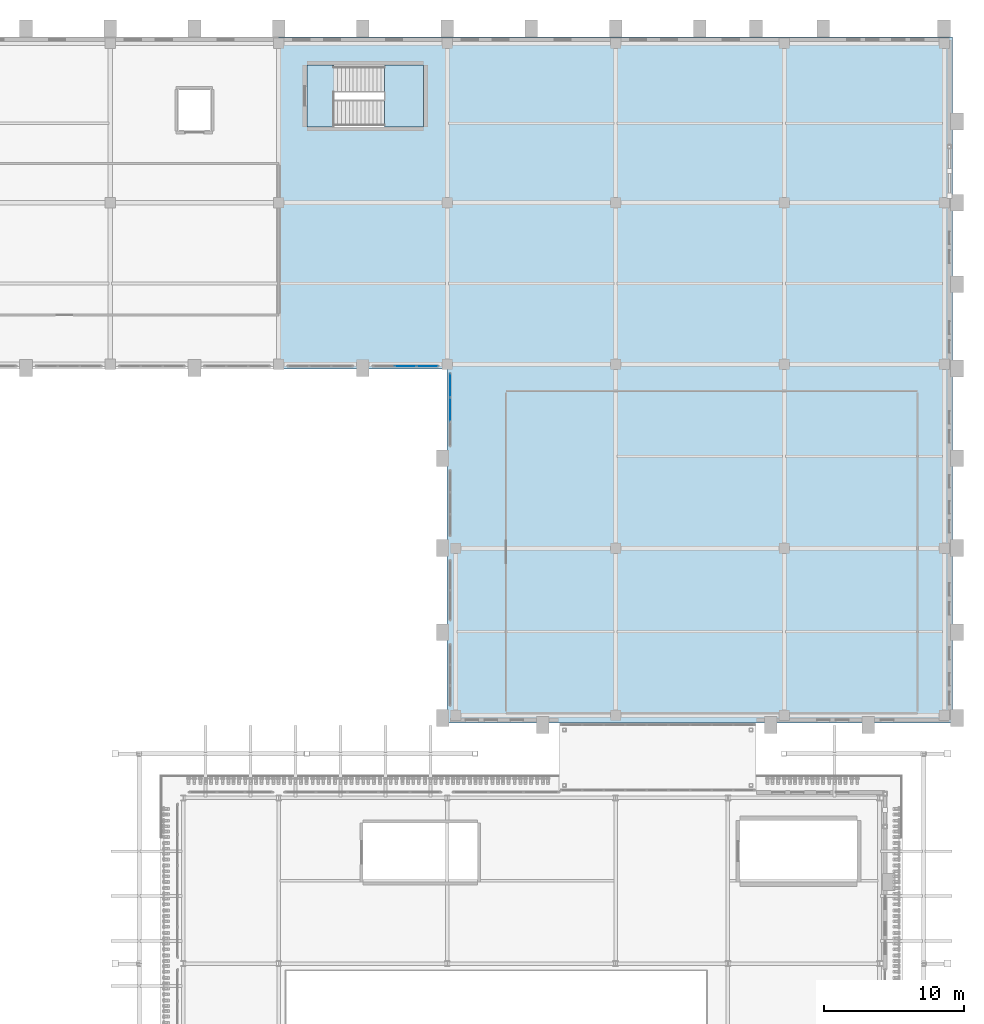
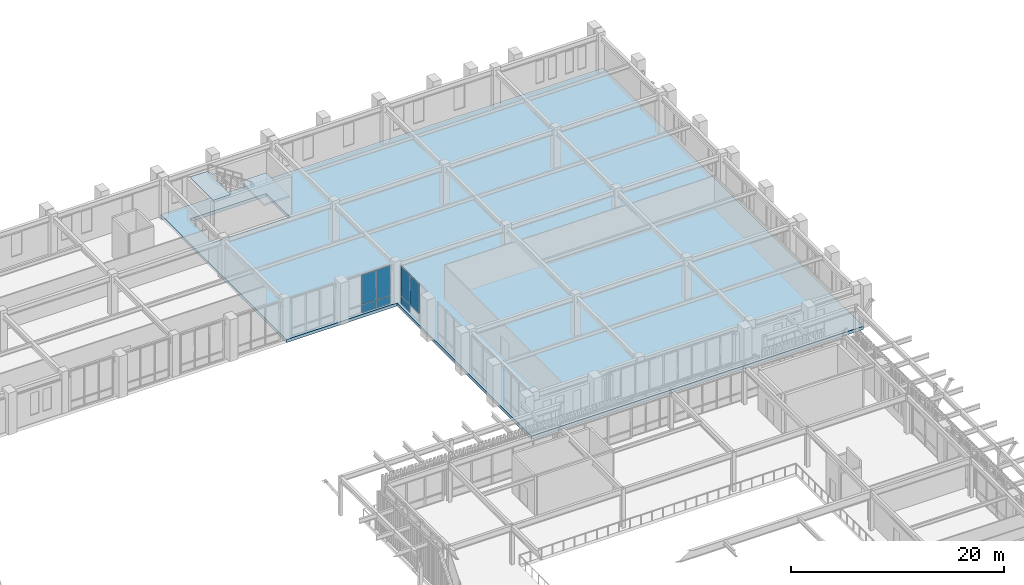
# One storey, part 79 of 126: 7 plates, 3 slabs, 3 elements without a shape of their own.
"""IFC4 building model written with IfcOpenShell, lengths in metres."""

from ifc_helpers import new_model, si_unit, derived_unit, direction, frame, origin, origin_2d, place, context, subcontext, project, spatial, polyline, rectangle, outline, extrude, material, layer, layer_set, type_object, element, aggregate, save


model = new_model("IFC4")

# Units and contexts
model_context = context("Model", 3, precision=1e-05, world=origin(), true_north=direction((0.0, 1.0)))
body_context = subcontext(model_context, "Body", "Model", "MODEL_VIEW")
ifc_project = project(units=[si_unit("LENGTHUNIT", "METRE"), si_unit("AREAUNIT", "SQUARE_METRE"), si_unit("VOLUMEUNIT", "CUBIC_METRE"), si_unit("PLANEANGLEUNIT", "RADIAN"), si_unit("MASSUNIT", "GRAM", prefix="KILO"), derived_unit("THERMALTRANSMITTANCEUNIT", [(si_unit("MASSUNIT", "GRAM", prefix="KILO"), 1), (si_unit("TIMEUNIT", "SECOND"), -3), (si_unit("THERMODYNAMICTEMPERATUREUNIT", "KELVIN"), -1)])], contexts=[model_context])

# Site, building, storey
site_placement = place(None, origin())
site = spatial("IfcSite", under=ifc_project, at=site_placement, CompositionType="ELEMENT")
building_placement = place(site_placement, origin())
building = spatial("IfcBuilding", under=site, at=building_placement, Name="Valcora Ridge Arena", CompositionType="ELEMENT")
storey_placement = place(building_placement, frame((0.0, 0.0, 11.39990234375)))
storey = spatial("IfcBuildingStorey", under=building, at=storey_placement, Name="L02", CompositionType="ELEMENT", Elevation=11.39990234375)

# Stair, slabs
ifc_material_1 = material(Name="Concrete C40/50", Category="concrete")
stair_type = type_object("IfcStairType", Name="TY-STAIR-ST10-48", PredefinedType="HALF_TURN_STAIR", material=ifc_material_1)
stair_placement = place(storey_placement, origin())
stair = element("IfcStair", 1, at=stair_placement, inside=storey, type_object=stair_type, Name="ST10-48 STR-CR-0044", PredefinedType="HALF_TURN_STAIR")
ifc_layer_1 = layer(ifc_material_1, 0.199951171875, Name="Concrete C40/50")
ifc_layer_set_1 = layer_set([ifc_layer_1], Name="Concrete C40/50")
slab_type_1 = type_object("IfcSlabType", Name="TY-LAND-ST10-48", PredefinedType="LANDING", material=ifc_layer_set_1)
slab_1_placement = place(storey_placement, frame((0.0, 0.0, 2.2001953125)))
slab_1 = element("IfcSlab", 2, at=slab_1_placement, type_object=slab_type_1, Name="ST10-48 landing 1", PredefinedType="LANDING", context=body_context, shape_type="SweptSolid", body=[
    extrude(outline(polyline([(151.530029296875, 125.60205078125), (154.318115234375, 125.60205078125), (154.318115234375, 129.998046875), (151.530029296875, 129.998046875), (151.530029296875, 125.60205078125)])), origin(), (0.0, 0.0, 1.0), 0.199951171875),
])
slab_2_placement = place(storey_placement, frame((0.0, 0.0, 4.60009765625)))
slab_2 = element("IfcSlab", 3, at=slab_2_placement, type_object=slab_type_1, Name="ST10-48 landing 2", PredefinedType="LANDING", context=body_context, shape_type="SweptSolid", body=[
    extrude(outline(polyline([(146.001953125, 125.60205078125), (147.929931640625, 125.60205078125), (147.929931640625, 129.998046875), (146.001953125, 129.998046875), (146.001953125, 125.60205078125)])), origin(), (0.0, 0.0, 1.0), 0.199951171875),
])
aggregate(stair, [slab_1, slab_2])

# Curtain wall, plates
ifc_material_2 = material(Name="Anodised dark bronze architectural aluminium 6063-T6", Category="aluminium")
ifc_layer_2 = layer(ifc_material_2, 0.14990234375, Name="Anodised dark bronze architectural aluminium 6063-T6")
ifc_layer_set_2 = layer_set([ifc_layer_2], Name="Anodised dark bronze architectural aluminium 6063-T6")
curtain_wall_type_1 = type_object("IfcCurtainWallType", Name="TY-CURTAINWALL-CW-V5-MED-047X44", PredefinedType="NOTDEFINED", material=ifc_layer_set_2)
curtain_wall_1_placement = place(storey_placement, origin())
curtain_wall_1 = element("IfcCurtainWall", 4, at=curtain_wall_1_placement, inside=storey, type_object=curtain_wall_type_1, Name="CW-V5-MED-047X44 CW-0331", PredefinedType="NOTDEFINED")
ifc_material_3 = material(Name="Low-iron solar-control double glazing SHGC 0.28", Category="glass")
ifc_layer_3 = layer(ifc_material_3, 0.028076171875, Name="Low-iron solar-control double glazing SHGC 0.28")
ifc_layer_set_3 = layer_set([ifc_layer_3], Name="Low-iron solar-control double glazing SHGC 0.28")
plate_type_1 = type_object("IfcPlateType", Name="TY-PLT-CWP-1490X0875", PredefinedType="CURTAIN_PANEL", material=ifc_layer_set_3)
plate_1_placement = place(storey_placement, frame((154.590087890625, 108.550048828125, 0.050048828125), z_axis=(0.0, 0.0, 1.0), x_axis=(1.0, 0.0, 0.0)))
plate_1 = element("IfcPlate", 5, at=plate_1_placement, type_object=plate_type_1, Name="CW-0331/P02-00", PredefinedType="CURTAIN_PANEL", context=body_context, shape_type="SweptSolid", body=[
    extrude(rectangle(XDim=1.489990234375, YDim=0.028076171875, at=origin_2d()), origin(), (0.0, 0.0, 1.0), 0.875),
])
ifc_layer_4 = layer(ifc_material_3, 0.028076171875, Name="Low-iron solar-control double glazing SHGC 0.28")
ifc_layer_set_4 = layer_set([ifc_layer_4], Name="Low-iron solar-control double glazing SHGC 0.28")
plate_type_2 = type_object("IfcPlateType", Name="TY-PLT-CWP-1490X3425", PredefinedType="CURTAIN_PANEL", material=ifc_layer_set_4)
plate_2_placement = place(storey_placement, frame((154.590087890625, 108.550048828125, 0.97509765625), z_axis=(0.0, 0.0, 1.0), x_axis=(1.0, 0.0, 0.0)))
plate_2 = element("IfcPlate", 6, at=plate_2_placement, type_object=plate_type_2, Name="CW-0331/P02-01", PredefinedType="CURTAIN_PANEL", context=body_context, shape_type="SweptSolid", body=[
    extrude(rectangle(XDim=1.489990234375, YDim=0.028076171875, at=origin_2d()), origin(), (0.0, 0.0, 1.0), 3.425048828125),
])
ifc_layer_5 = layer(ifc_material_3, 0.028076171875, Name="Low-iron solar-control double glazing SHGC 0.28")
ifc_layer_set_5 = layer_set([ifc_layer_5], Name="Low-iron solar-control double glazing SHGC 0.28")
plate_type_3 = type_object("IfcPlateType", Name="TY-PLT-CWP-1515X0875", PredefinedType="CURTAIN_PANEL", material=ifc_layer_set_5)
plate_3_placement = place(storey_placement, frame((153.03759765625, 108.550048828125, 0.050048828125), z_axis=(0.0, 0.0, 1.0), x_axis=(1.0, 0.0, 0.0)))
plate_3 = element("IfcPlate", 7, at=plate_3_placement, type_object=plate_type_3, Name="CW-0331/P01-00", PredefinedType="CURTAIN_PANEL", context=body_context, shape_type="SweptSolid", body=[
    extrude(rectangle(XDim=1.514892578125, YDim=0.028076171875, at=origin_2d()), origin(), (0.0, 0.0, 1.0), 0.875),
])
ifc_layer_6 = layer(ifc_material_3, 0.028076171875, Name="Low-iron solar-control double glazing SHGC 0.28")
ifc_layer_set_6 = layer_set([ifc_layer_6], Name="Low-iron solar-control double glazing SHGC 0.28")
plate_type_4 = type_object("IfcPlateType", Name="TY-PLT-CWP-1515X3425", PredefinedType="CURTAIN_PANEL", material=ifc_layer_set_6)
plate_4_placement = place(storey_placement, frame((153.03759765625, 108.550048828125, 0.97509765625), z_axis=(0.0, 0.0, 1.0), x_axis=(1.0, 0.0, 0.0)))
plate_4 = element("IfcPlate", 8, at=plate_4_placement, type_object=plate_type_4, Name="CW-0331/P01-01", PredefinedType="CURTAIN_PANEL", context=body_context, shape_type="SweptSolid", body=[
    extrude(rectangle(XDim=1.514892578125, YDim=0.028076171875, at=origin_2d()), origin(), (0.0, 0.0, 1.0), 3.425048828125),
])
aggregate(curtain_wall_1, [plate_3, plate_4, plate_1, plate_2])

ifc_layer_7 = layer(ifc_material_2, 0.14990234375, Name="Anodised dark bronze architectural aluminium 6063-T6")
ifc_layer_set_7 = layer_set([ifc_layer_7], Name="Anodised dark bronze architectural aluminium 6063-T6")
curtain_wall_type_2 = type_object("IfcCurtainWallType", Name="TY-CURTAINWALL-CW-V5-MED-052X44", PredefinedType="NOTDEFINED", material=ifc_layer_set_7)
curtain_wall_2_placement = place(storey_placement, origin())
curtain_wall_2 = element("IfcCurtainWall", 9, at=curtain_wall_2_placement, inside=storey, type_object=curtain_wall_type_2, Name="CW-V5-MED-052X44 CW-0335", PredefinedType="NOTDEFINED")
ifc_layer_8 = layer(ifc_material_3, 0.028076171875, Name="Low-iron solar-control double glazing SHGC 0.28")
ifc_layer_set_8 = layer_set([ifc_layer_8], Name="Low-iron solar-control double glazing SHGC 0.28")
plate_type_5 = type_object("IfcPlateType", Name="TY-PLT-CWP-1673X0875", PredefinedType="CURTAIN_PANEL", material=ifc_layer_set_8)
plate_5_placement = place(storey_placement, frame((156.219970703125, 107.198486328125, 0.050048828125), z_axis=(0.0, 0.0, 1.0), x_axis=(0.0, 1.0, 0.0)))
plate_5 = element("IfcPlate", 10, at=plate_5_placement, type_object=plate_type_5, Name="CW-0335/P02-00", PredefinedType="CURTAIN_PANEL", context=body_context, shape_type="SweptSolid", body=[
    extrude(rectangle(XDim=1.673095703125, YDim=0.028076171875, at=origin_2d()), origin(), (0.0, 0.0, 1.0), 0.875),
])
ifc_layer_9 = layer(ifc_material_3, 0.028076171875, Name="Low-iron solar-control double glazing SHGC 0.28")
ifc_layer_set_9 = layer_set([ifc_layer_9], Name="Low-iron solar-control double glazing SHGC 0.28")
plate_type_6 = type_object("IfcPlateType", Name="TY-PLT-CWP-1673X3425", PredefinedType="CURTAIN_PANEL", material=ifc_layer_set_9)
plate_6_placement = place(storey_placement, frame((156.219970703125, 107.198486328125, 0.97509765625), z_axis=(0.0, 0.0, 1.0), x_axis=(0.0, 1.0, 0.0)))
plate_6 = element("IfcPlate", 11, at=plate_6_placement, type_object=plate_type_6, Name="CW-0335/P02-01", PredefinedType="CURTAIN_PANEL", context=body_context, shape_type="SweptSolid", body=[
    extrude(rectangle(XDim=1.673095703125, YDim=0.028076171875, at=origin_2d()), origin(), (0.0, 0.0, 1.0), 3.425048828125),
])
ifc_layer_10 = layer(ifc_material_3, 0.028076171875, Name="Low-iron solar-control double glazing SHGC 0.28")
ifc_layer_set_10 = layer_set([ifc_layer_10], Name="Low-iron solar-control double glazing SHGC 0.28")
plate_type_7 = type_object("IfcPlateType", Name="TY-PLT-CWP-1699X3425", PredefinedType="CURTAIN_PANEL", material=ifc_layer_set_10)
plate_7_placement = place(storey_placement, frame((156.219970703125, 105.46240234375, 0.97509765625), z_axis=(0.0, 0.0, 1.0), x_axis=(0.0, 1.0, 0.0)))
plate_7 = element("IfcPlate", 12, at=plate_7_placement, type_object=plate_type_7, Name="CW-0335/P01-01", PredefinedType="CURTAIN_PANEL", context=body_context, shape_type="SweptSolid", body=[
    extrude(rectangle(XDim=1.698974609375, YDim=0.028076171875, at=origin_2d()), origin(), (0.0, 0.0, 1.0), 3.425048828125),
])
aggregate(curtain_wall_2, [plate_7, plate_5, plate_6])

# Slab
ifc_layer_11 = layer(ifc_material_1, 0.360107421875, Name="Concrete C40/50")
ifc_layer_set_11 = layer_set([ifc_layer_11], Name="Concrete C40/50")
slab_type_2 = type_object("IfcSlabType", Name="TY-SLAB-SL-V5-360B-E", PredefinedType="FLOOR", material=ifc_layer_set_11)
slab_3_placement = place(storey_placement, frame((0.0, 0.0, -0.35986328125)))
element("IfcSlab", 13, at=slab_3_placement, inside=storey, type_object=slab_type_2, Name="SL-V5-360B-E SLB-0075", PredefinedType="FLOOR", context=body_context, shape_type="SweptSolid", body=[
    extrude(outline(polyline([(156.0, 108.35009765625), (156.0, 83.14990234375), (192.0, 83.14990234375), (192.0, 132.0), (144.0, 132.0), (144.0, 108.35009765625), (156.0, 108.35009765625)]), holes=[polyline([(154.320068359375, 130.0), (146.0, 130.0), (146.0, 125.60009765625), (154.320068359375, 125.60009765625), (154.320068359375, 130.0)])]), origin(), (0.0, 0.0, 1.0), 0.35986328125),
])

save(model, "model.ifc")
